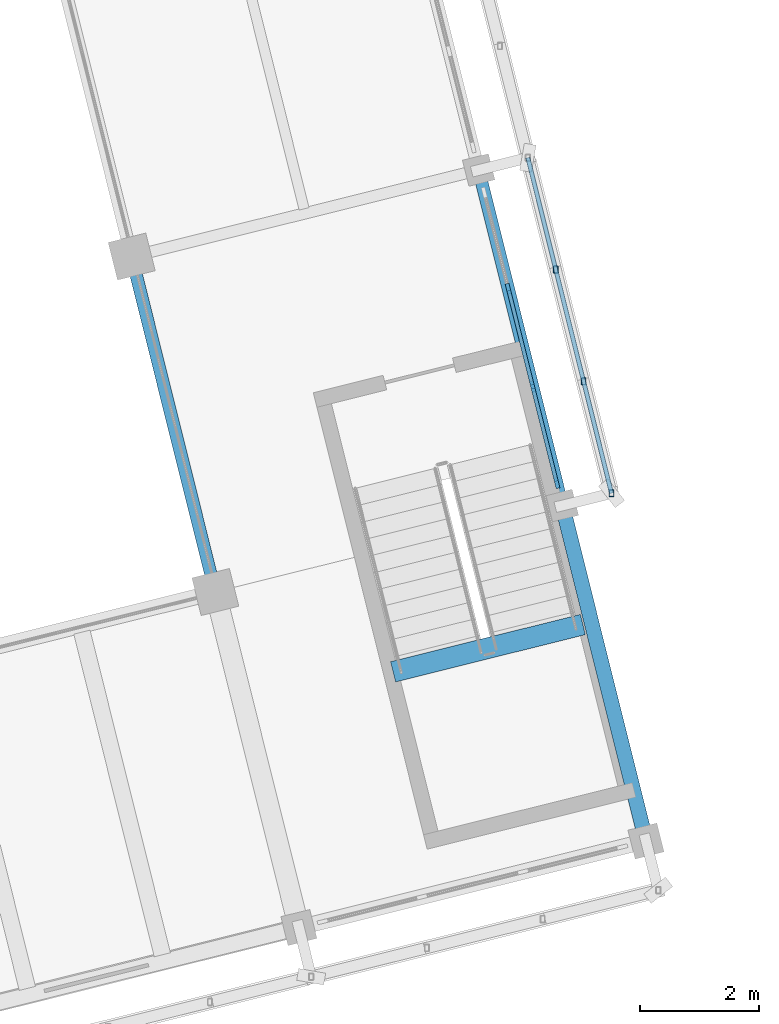
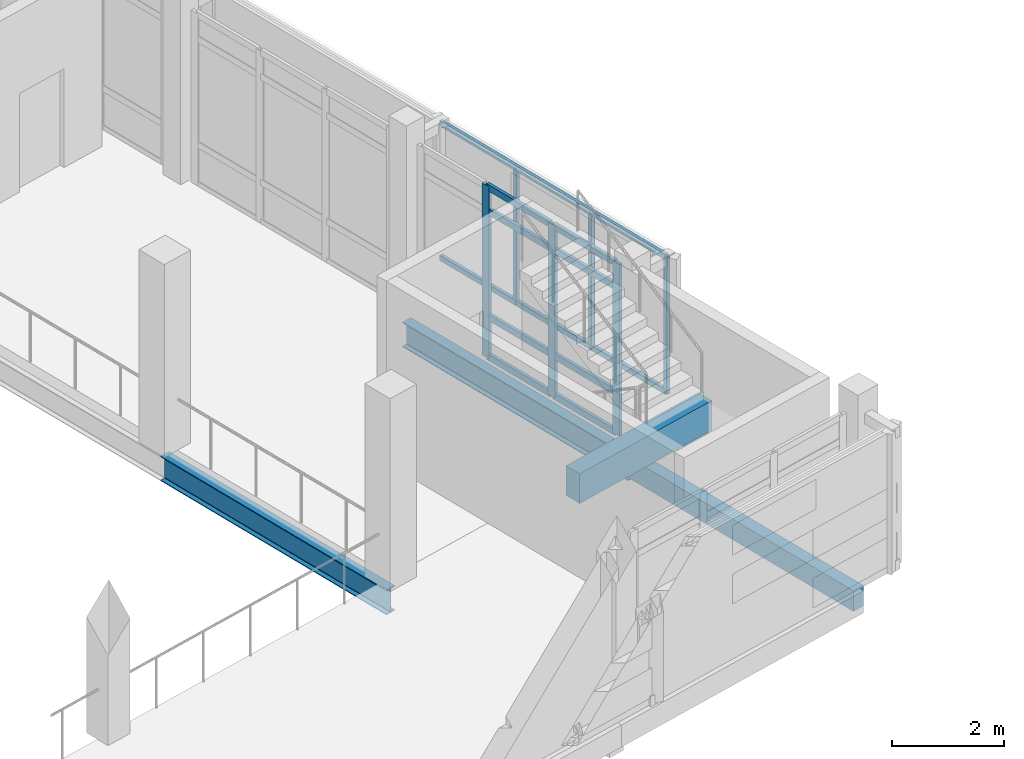
# One storey, part 12 of 137: 16 members, 4 beams, 1 element without a shape of its own.
"""IFC4 building model written with IfcOpenShell, lengths in metres."""

from ifc_helpers import new_model, si_unit, direction, frame, origin, origin_2d, place, context, subcontext, project, spatial, rectangle, hollow_rectangle, i_section, extrude, material, material_profile, profile_set, type_object, element, aggregate, save


model = new_model("IFC4")

# Units and contexts
model_context = context("Model", 3, precision=1e-05, world=origin(), true_north=direction((0.0, 1.0)))
body_context = subcontext(model_context, "Body", "Model", "MODEL_VIEW")
ifc_project = project(units=[si_unit("LENGTHUNIT", "METRE"), si_unit("AREAUNIT", "SQUARE_METRE"), si_unit("VOLUMEUNIT", "CUBIC_METRE"), si_unit("PLANEANGLEUNIT", "RADIAN"), si_unit("MASSUNIT", "GRAM", prefix="KILO")], contexts=[model_context])

# Site, building, storey
site_placement = place(None, origin())
site = spatial("IfcSite", under=ifc_project, at=site_placement, CompositionType="ELEMENT")
building_placement = place(site_placement, origin())
building = spatial("IfcBuilding", under=site, at=building_placement, Name="Cinderway Yard Community Centre", CompositionType="ELEMENT")
storey_placement = place(building_placement, frame((0.0, 0.0, 4.800048828125)))
storey = spatial("IfcBuildingStorey", under=building, at=storey_placement, Name="L01", CompositionType="ELEMENT", Elevation=4.800048828125)

# Curtain wall, members
ifc_material_1 = material(Name="Aluminium 6063-T6", Category="aluminium")
curtain_wall_type = type_object("IfcCurtainWallType", Name="ENV-CW-TYPE-04", PredefinedType="USERDEFINED", material=ifc_material_1)
curtain_wall_placement = place(storey_placement, origin())
curtain_wall = element("IfcCurtainWall", 1, at=curtain_wall_placement, inside=storey, type_object=curtain_wall_type, Name="Main Hall Courtyard Curtain Wall ENV-CW-L01-HS-0010", ObjectType="GLAZED CURTAIN WALL", PredefinedType="USERDEFINED")
ifc_material_profile_1 = material_profile(ifc_material_1, rectangle(XDim=0.06494140625, YDim=0.179931640625, at=origin_2d()), Name="Aluminium 6063-T6")
ifc_profile_set_1 = profile_set([ifc_material_profile_1], Name="Aluminium 6063-T6")
member_type_1 = type_object("IfcMemberType", Name="ENV-CW-MULL-180", PredefinedType="MULLION", material=ifc_profile_set_1)
member_1_placement = place(storey_placement, frame((52.704833984375, 33.72021484375, 0.0), z_axis=(0.0, 0.0, 1.0), x_axis=(-0.97030436752, -0.241887234827, 0.0)))
member_1 = element("IfcMember", 2, at=member_1_placement, type_object=member_type_1, Name="CW-04 mullion 1", PredefinedType="MULLION", context=body_context, shape_type="SweptSolid", body=[
    extrude(rectangle(XDim=0.06494140625, YDim=0.179931640625, at=origin_2d()), origin(), (0.0, 0.0, 1.0), 3.75),
])
member_2_placement = place(storey_placement, frame((52.30224609375, 35.334228515625, 0.0), z_axis=(0.0, 0.0, 1.0), x_axis=(-0.97030436752, -0.241887234827, 0.0)))
member_2 = element("IfcMember", 3, at=member_2_placement, type_object=member_type_1, Name="CW-04 mullion 2", PredefinedType="MULLION", context=body_context, shape_type="SweptSolid", body=[
    extrude(rectangle(XDim=0.06494140625, YDim=0.179931640625, at=origin_2d()), origin(), (0.0, 0.0, 1.0), 3.75),
])
member_3_placement = place(storey_placement, frame((51.892578125, 36.977783203125, 0.0), z_axis=(0.0, 0.0, 1.0), x_axis=(-0.97030436752, -0.241887234827, 0.0)))
member_3 = element("IfcMember", 4, at=member_3_placement, type_object=member_type_1, Name="CW-04 mullion 3", PredefinedType="MULLION", context=body_context, shape_type="SweptSolid", body=[
    extrude(rectangle(XDim=0.06494140625, YDim=0.179931640625, at=origin_2d()), origin(), (0.0, 0.0, 1.0), 3.75),
])
ifc_material_profile_2 = material_profile(ifc_material_1, rectangle(XDim=0.06494140625, YDim=0.139892578125, at=origin_2d()), Name="Aluminium 6063-T6")
ifc_profile_set_2 = profile_set([ifc_material_profile_2], Name="Aluminium 6063-T6")
member_type_2 = type_object("IfcMemberType", Name="ENV-CW-TRAN-140", PredefinedType="USERDEFINED", material=ifc_profile_set_2)
member_4_placement = place(storey_placement, frame((52.697509765625, 33.749267578125, 0.030029296875), z_axis=(-0.241926573916, 0.970294559829, 0.0), x_axis=(-0.970294559829, -0.241926573916, 0.0)))
member_4 = element("IfcMember", 5, at=member_4_placement, type_object=member_type_2, Name="CW-04 transom 1.1", ObjectType="TRANSOM", PredefinedType="USERDEFINED", context=body_context, shape_type="SweptSolid", body=[
    extrude(rectangle(XDim=0.06494140625, YDim=0.139892578125, at=origin_2d()), origin(), (0.0, 0.0, 1.0), 1.603515625),
])
member_5_placement = place(storey_placement, frame((52.697509765625, 33.749267578125, 0.89990234375), z_axis=(-0.241926573916, 0.970294559829, 0.0), x_axis=(-0.970294559829, -0.241926573916, 0.0)))
member_5 = element("IfcMember", 6, at=member_5_placement, type_object=member_type_2, Name="CW-04 transom 1.2", ObjectType="TRANSOM", PredefinedType="USERDEFINED", context=body_context, shape_type="SweptSolid", body=[
    extrude(rectangle(XDim=0.06494140625, YDim=0.139892578125, at=origin_2d()), origin(), (0.0, 0.0, 1.0), 1.603515625),
])
member_6_placement = place(storey_placement, frame((52.697509765625, 33.749267578125, 3.199951171875), z_axis=(-0.241926573916, 0.970294559829, 0.0), x_axis=(-0.970294559829, -0.241926573916, 0.0)))
member_6 = element("IfcMember", 7, at=member_6_placement, type_object=member_type_2, Name="CW-04 transom 1.3", ObjectType="TRANSOM", PredefinedType="USERDEFINED", context=body_context, shape_type="SweptSolid", body=[
    extrude(rectangle(XDim=0.06494140625, YDim=0.139892578125, at=origin_2d()), origin(), (0.0, 0.0, 1.0), 1.603515625),
])
member_7_placement = place(storey_placement, frame((52.697509765625, 33.749267578125, 3.719970703125), z_axis=(-0.241926573916, 0.970294559829, 0.0), x_axis=(-0.970294559829, -0.241926573916, 0.0)))
member_7 = element("IfcMember", 8, at=member_7_placement, type_object=member_type_2, Name="CW-04 transom 1.4", ObjectType="TRANSOM", PredefinedType="USERDEFINED", context=body_context, shape_type="SweptSolid", body=[
    extrude(rectangle(XDim=0.06494140625, YDim=0.139892578125, at=origin_2d()), origin(), (0.0, 0.0, 1.0), 1.603515625),
])
member_8_placement = place(storey_placement, frame((52.295166015625, 35.363525390625, 0.030029296875), z_axis=(-0.241972917865, 0.970283003571, 0.0), x_axis=(-0.970283003571, -0.241972917865, 0.0)))
member_8 = element("IfcMember", 9, at=member_8_placement, type_object=member_type_2, Name="CW-04 transom 2.1", ObjectType="TRANSOM", PredefinedType="USERDEFINED", context=body_context, shape_type="SweptSolid", body=[
    extrude(rectangle(XDim=0.06494140625, YDim=0.139892578125, at=origin_2d()), origin(), (0.0, 0.0, 1.0), 1.633544921875),
])
member_9_placement = place(storey_placement, frame((52.295166015625, 35.363525390625, 0.89990234375), z_axis=(-0.241972917865, 0.970283003571, 0.0), x_axis=(-0.970283003571, -0.241972917865, 0.0)))
member_9 = element("IfcMember", 10, at=member_9_placement, type_object=member_type_2, Name="CW-04 transom 2.2", ObjectType="TRANSOM", PredefinedType="USERDEFINED", context=body_context, shape_type="SweptSolid", body=[
    extrude(rectangle(XDim=0.06494140625, YDim=0.139892578125, at=origin_2d()), origin(), (0.0, 0.0, 1.0), 1.633544921875),
])
member_10_placement = place(storey_placement, frame((52.295166015625, 35.363525390625, 3.199951171875), z_axis=(-0.241972917865, 0.970283003571, 0.0), x_axis=(-0.970283003571, -0.241972917865, 0.0)))
member_10 = element("IfcMember", 11, at=member_10_placement, type_object=member_type_2, Name="CW-04 transom 2.3", ObjectType="TRANSOM", PredefinedType="USERDEFINED", context=body_context, shape_type="SweptSolid", body=[
    extrude(rectangle(XDim=0.06494140625, YDim=0.139892578125, at=origin_2d()), origin(), (0.0, 0.0, 1.0), 1.633544921875),
])
member_11_placement = place(storey_placement, frame((52.295166015625, 35.363525390625, 3.719970703125), z_axis=(-0.241972917865, 0.970283003571, 0.0), x_axis=(-0.970283003571, -0.241972917865, 0.0)))
member_11 = element("IfcMember", 12, at=member_11_placement, type_object=member_type_2, Name="CW-04 transom 2.4", ObjectType="TRANSOM", PredefinedType="USERDEFINED", context=body_context, shape_type="SweptSolid", body=[
    extrude(rectangle(XDim=0.06494140625, YDim=0.139892578125, at=origin_2d()), origin(), (0.0, 0.0, 1.0), 1.633544921875),
])
aggregate(curtain_wall, [member_1, member_2, member_3, member_4, member_5, member_6, member_7, member_8, member_9, member_10, member_11])

# Members
ifc_material_2 = material(Name="Steel S355", Category="steel")
ifc_material_profile_3 = material_profile(ifc_material_2, hollow_rectangle(XDim=0.080078125, YDim=0.1201171875, WallThickness=0.00634765625, InnerFilletRadius=0.00634765625, OuterFilletRadius=0.0126953125, at=origin_2d()), Name="Steel S355")
ifc_profile_set_3 = profile_set([ifc_material_profile_3], Name="Steel S355")
member_type_3 = type_object("IfcMemberType", Name="ENV-MEM-SCREEN-RAIL-120", PredefinedType="STRINGER", material=ifc_profile_set_3)
for number, where, z_axis, x_axis, name in (
    (13, (53.6240234375, 33.548095703125, 0.7099609375), (-0.2419017199, 0.97030075642, 0.0), (-0.97030075642, -0.2419017199, 0.0), "Screen support rail 0783-BOT"),
    (14, (53.6240234375, 33.548095703125, 3.639892578125), (-0.2419017199, 0.97030075642, 0.0), (-0.97030075642, -0.2419017199, 0.0), "Screen support rail 0784-TOP"),
):
    element("IfcMember", number, at=place(storey_placement, frame(where, z_axis=z_axis, x_axis=x_axis)), inside=storey, type_object=member_type_3, Name=name, PredefinedType="STRINGER", context=body_context, shape_type="SweptSolid", body=[
        extrude(hollow_rectangle(XDim=0.080078125, YDim=0.1201171875, WallThickness=0.00634765625, InnerFilletRadius=0.00634765625, OuterFilletRadius=0.0126953125, at=origin_2d()), origin(), (0.0, 0.0, 1.0), 5.80029296875),
    ])
for number, where, z_axis, x_axis, name in (
    (15, (53.6240234375, 33.548095703125, 0.68994140625), (0.0, 0.0, 1.0), (1.0, 0.0, 0.0), "Screen vertical mullion 0785"),
    (16, (53.156005859375, 35.424072265625, 0.68994140625), (0.0, 0.0, 1.0), (1.0, 0.0, 0.0), "Screen vertical mullion 0786"),
    (17, (52.68896484375, 37.300048828125, 0.68994140625), (0.0, 0.0, 1.0), (1.0, 0.0, 0.0), "Screen vertical mullion 0787"),
):
    element("IfcMember", number, at=place(storey_placement, frame(where, z_axis=z_axis, x_axis=x_axis)), inside=storey, type_object=member_type_3, Name=name, PredefinedType="STRINGER", context=body_context, shape_type="SweptSolid", body=[
        extrude(hollow_rectangle(XDim=0.080078125, YDim=0.1201171875, WallThickness=0.00634765625, InnerFilletRadius=0.00634765625, OuterFilletRadius=0.0126953125, at=origin_2d()), origin(), (0.0, 0.0, 1.0), 2.969970703125),
    ])

# Beams
ifc_material_3 = material(Name="Concrete C40/50", Category="concrete")
ifc_material_profile_4 = material_profile(ifc_material_3, rectangle(XDim=0.25, YDim=0.449951171875, at=origin_2d()), Name="Concrete C40/50")
ifc_profile_set_4 = profile_set([ifc_material_profile_4], Name="Concrete C40/50")
beam_type_1 = type_object("IfcBeamType", Name="STR-BM-RC250X450", PredefinedType="SPANDREL", material=ifc_profile_set_4)
beam_1_placement = place(storey_placement, frame((54.202880859375, 27.714111328125, -0.465087890625), z_axis=(-0.242020600737, 0.970271110989, 0.0), x_axis=(-0.970271110989, -0.242020600737, 0.0)))
element("IfcBeam", 18, at=beam_1_placement, inside=storey, type_object=beam_type_1, Name="Transverse girder STR-BM-L01-SP02-0012", PredefinedType="SPANDREL", context=body_context, shape_type="SweptSolid", body=[
    extrude(rectangle(XDim=0.25, YDim=0.449951171875, at=origin_2d()), origin(), (0.0, 0.0, 1.0), 5.80029296875),
])
ifc_material_4 = material(Name="Concrete C35/45", Category="concrete")
ifc_material_profile_5 = material_profile(ifc_material_4, rectangle(XDim=0.35009765625, YDim=0.64990234375, at=origin_2d()), Name="Concrete C35/45")
ifc_profile_set_5 = profile_set([ifc_material_profile_5], Name="Concrete C35/45")
beam_type_2 = type_object("IfcBeamType", Name="STR-BM-RC350X650", PredefinedType="BEAM", material=ifc_profile_set_5)
beam_2_placement = place(storey_placement, frame((49.9599609375, 30.552978515625, 1.77490234375), z_axis=(0.97034354902, 0.241730008223, 0.0), x_axis=(-0.241730008223, 0.97034354902, 0.0)))
element("IfcBeam", 19, at=beam_2_placement, inside=storey, type_object=beam_type_2, Name="Stair half-landing trimmer C3A L01", PredefinedType="BEAM", context=body_context, shape_type="SweptSolid", body=[
    extrude(rectangle(XDim=0.35009765625, YDim=0.64990234375, at=origin_2d()), origin(), (0.0, 0.0, 1.0), 3.2802734375),
])
ifc_material_profile_6 = material_profile(ifc_material_2, i_section(OverallWidth=0.2109375, OverallDepth=0.5390625, WebThickness=0.010986328125, FlangeThickness=0.017333984375, FilletRadius=0.013916015625, at=origin_2d()), Name="Steel S355")
ifc_profile_set_6 = profile_set([ifc_material_profile_6], Name="Steel S355")
beam_type_3 = type_object("IfcBeamType", Name="STR-BM-W530X109", PredefinedType="BEAM", material=ifc_profile_set_6)
beam_3_placement = place(storey_placement, frame((46.97802734375, 31.89111328125, -0.510009765625), z_axis=(-0.241941244896, 0.97029090175, 0.0), x_axis=(-0.97029090175, -0.241941244896, 0.0)))
element("IfcBeam", 20, at=beam_3_placement, inside=storey, type_object=beam_type_3, Name="Transverse girder STR-BM-L01-SB06-0026", PredefinedType="BEAM", context=body_context, shape_type="SweptSolid", body=[
    extrude(i_section(OverallWidth=0.2109375, OverallDepth=0.5390625, WebThickness=0.010986328125, FlangeThickness=0.017333984375, FilletRadius=0.013916015625, at=origin_2d()), origin(), (0.0, 0.0, 1.0), 5.79931640625),
])
beam_4_placement = place(storey_placement, frame((52.799072265625, 33.342041015625, -0.510009765625), z_axis=(-0.2419017199, 0.97030075642, 0.0), x_axis=(-0.97030075642, -0.2419017199, 0.0)))
element("IfcBeam", 21, at=beam_4_placement, inside=storey, type_object=beam_type_3, Name="Transverse girder STR-BM-L01-SB06-0033", PredefinedType="BEAM", context=body_context, shape_type="SweptSolid", body=[
    extrude(i_section(OverallWidth=0.2109375, OverallDepth=0.5390625, WebThickness=0.010986328125, FlangeThickness=0.017333984375, FilletRadius=0.013916015625, at=origin_2d()), origin(), (0.0, 0.0, 1.0), 5.80029296875),
])

save(model, "model.ifc")
